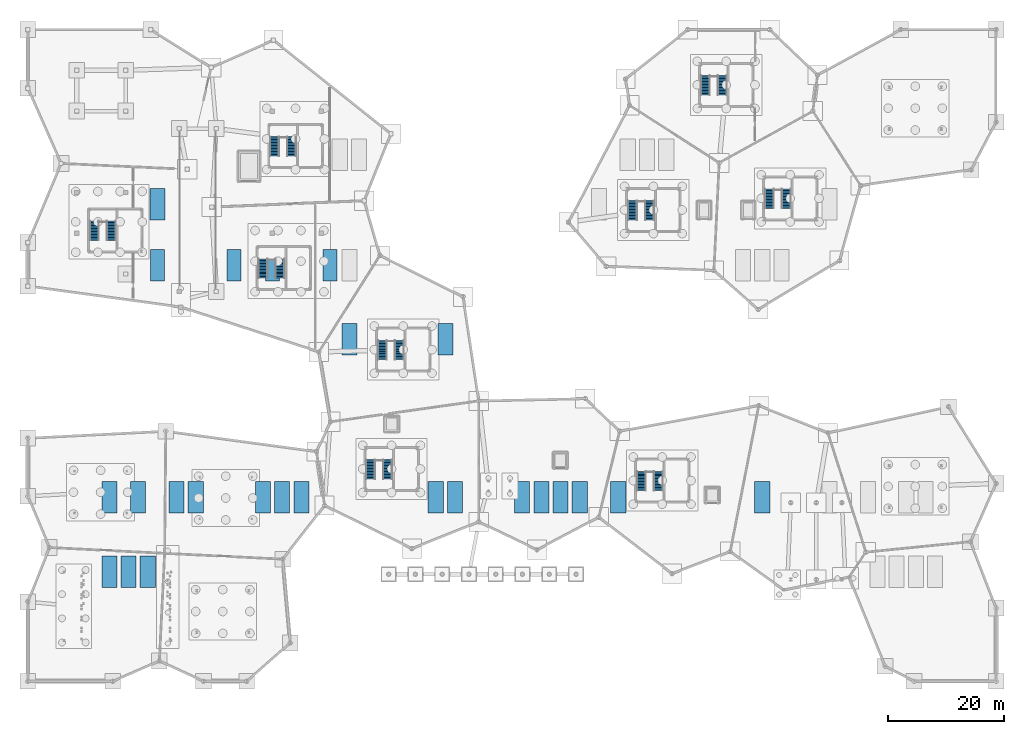
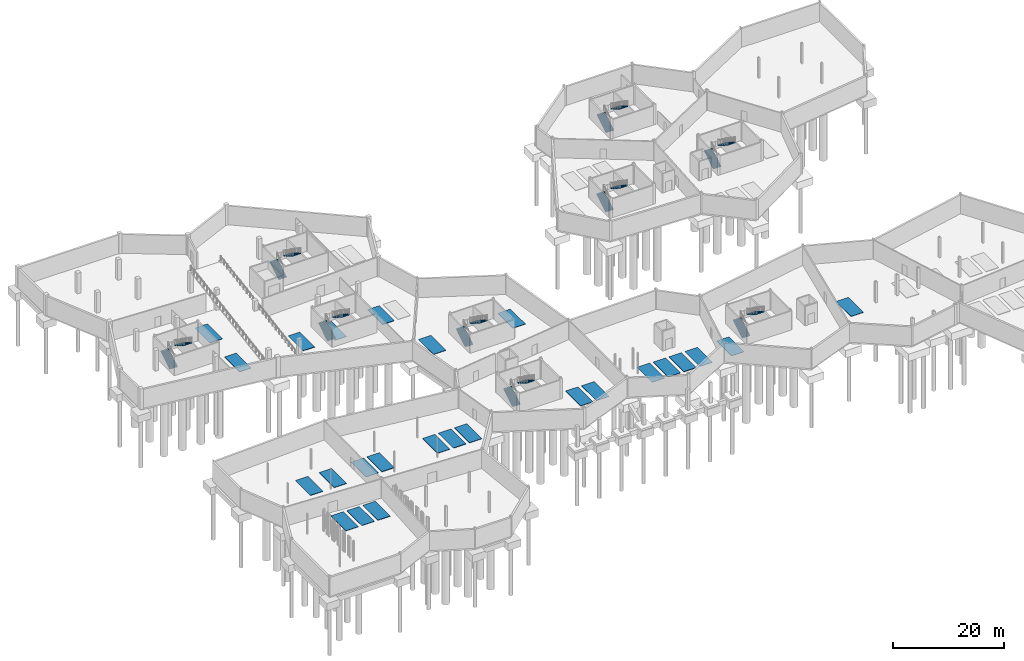
# One storey, part 33 of 37: 25 discrete accessories, 18 stair flights, 9 elements without a shape of their own.
"""IFC4 building model written with IfcOpenShell, lengths in metres."""

from ifc_helpers import new_model, si_unit, direction, frame, origin, origin_2d, place, context, subcontext, project, spatial, polyline, rectangle, outline, extrude, material, type_object, element, aggregate, save


model = new_model("IFC4")

# Units and contexts
model_context = context("Model", 3, precision=1e-05, world=origin(), true_north=direction((0.0, 1.0)))
body_context = subcontext(model_context, "Body", "Model", "MODEL_VIEW")
ifc_project = project(units=[si_unit("LENGTHUNIT", "METRE"), si_unit("AREAUNIT", "SQUARE_METRE"), si_unit("VOLUMEUNIT", "CUBIC_METRE"), si_unit("PLANEANGLEUNIT", "RADIAN"), si_unit("MASSUNIT", "GRAM", prefix="KILO")], contexts=[model_context])

# Site, building, storey
site_placement = place(None, origin())
site = spatial("IfcSite", under=ifc_project, at=site_placement, CompositionType="ELEMENT")
building_placement = place(site_placement, origin())
building = spatial("IfcBuilding", under=site, at=building_placement, Name="Tameran Prism Museum", CompositionType="ELEMENT")
storey_placement = place(building_placement, frame((0.0, 0.0, -4.5)))
storey = spatial("IfcBuildingStorey", under=building, at=storey_placement, Name="B1", CompositionType="ELEMENT", Elevation=-4.5)

# Stair, stair flights
ifc_material_1 = material(Name="Concrete N40 (40 MPa)", Category="concrete")
stair_type = type_object("IfcStairType", Name="ST-CORE-45", PredefinedType="HALF_TURN_STAIR", material=ifc_material_1)
stair_1_placement = place(storey_placement, origin())
stair_1 = element("IfcStair", 1, at=stair_1_placement, inside=storey, type_object=stair_type, Name="Fire-Isolated Stair ST-01-B1", PredefinedType="HALF_TURN_STAIR")
ifc_material_2 = material(Name="Concrete N40 (40 MPa)", Category="concrete")
stair_flight_type = type_object("IfcStairFlightType", Name="SF-RC-165", PredefinedType="STRAIGHT", material=ifc_material_2)
stair_flight_1_placement = place(storey_placement, frame((103.9150390625, 79.280029296875, 0.0), z_axis=(0.0, 0.0, 1.0), x_axis=(0.0, 1.0, 0.0)))
stair_flight_1 = element("IfcStairFlight", 2, at=stair_flight_1_placement, type_object=stair_flight_type, Name="ST-01-B1 flight 1", NumberOfRisers=14, NumberOfTreads=13, PredefinedType="STRAIGHT", RiserHeight=0.160714, TreadLength=0.255, context=body_context, shape_type="SweptSolid", body=[
    extrude(outline(polyline([(0.0, 0.0), (0.0, 0.16064453125), (0.2548828125, 0.16064453125), (0.2548828125, 0.321533203125), (0.510009765625, 0.321533203125), (0.510009765625, 0.482177734375), (0.764892578125, 0.482177734375), (0.764892578125, 0.642822265625), (1.02001953125, 0.642822265625), (1.02001953125, 0.803466796875), (1.27490234375, 0.803466796875), (1.27490234375, 0.96435546875), (1.530029296875, 0.96435546875), (1.530029296875, 1.125), (1.784912109375, 1.125), (1.784912109375, 1.28564453125), (2.0400390625, 1.28564453125), (2.0400390625, 1.446533203125), (2.294921875, 1.446533203125), (2.294921875, 1.607177734375), (2.550048828125, 1.607177734375), (2.550048828125, 1.767822265625), (2.804931640625, 1.767822265625), (2.804931640625, 1.928466796875), (3.06005859375, 1.928466796875), (3.06005859375, 2.08935546875), (3.31494140625, 2.08935546875), (3.31494140625, 2.25), (3.31494140625, 1.912109375), (0.28125, 0.0), (0.0, 0.0)])), frame((0.0, 0.824951171875, 0.0), z_axis=(0.0, -1.0, 0.0), x_axis=(1.0, 0.0, 0.0)), (0.0, 0.0, 1.0), 1.64990234375),
])
stair_flight_2_placement = place(storey_placement, frame((106.8349609375, 82.594970703125, 2.25), z_axis=(0.0, 0.0, 1.0), x_axis=(0.0, -1.0, 0.0)))
stair_flight_2 = element("IfcStairFlight", 3, at=stair_flight_2_placement, type_object=stair_flight_type, Name="ST-01-B1 flight 2", NumberOfRisers=14, NumberOfTreads=13, PredefinedType="STRAIGHT", RiserHeight=0.160714, TreadLength=0.255, context=body_context, shape_type="SweptSolid", body=[
    extrude(outline(polyline([(0.0, 0.0), (0.0, 0.16064453125), (0.2548828125, 0.16064453125), (0.2548828125, 0.321533203125), (0.510009765625, 0.321533203125), (0.510009765625, 0.482177734375), (0.764892578125, 0.482177734375), (0.764892578125, 0.642822265625), (1.02001953125, 0.642822265625), (1.02001953125, 0.803466796875), (1.27490234375, 0.803466796875), (1.27490234375, 0.96435546875), (1.530029296875, 0.96435546875), (1.530029296875, 1.125), (1.784912109375, 1.125), (1.784912109375, 1.28564453125), (2.0400390625, 1.28564453125), (2.0400390625, 1.446533203125), (2.294921875, 1.446533203125), (2.294921875, 1.607177734375), (2.550048828125, 1.607177734375), (2.550048828125, 1.767822265625), (2.804931640625, 1.767822265625), (2.804931640625, 1.928466796875), (3.06005859375, 1.928466796875), (3.06005859375, 2.08935546875), (3.31494140625, 2.08935546875), (3.31494140625, 2.25), (3.31494140625, 1.912109375), (0.28125, 0.0), (0.0, 0.0)])), frame((0.0, 0.824951171875, 0.0), z_axis=(0.0, -1.0, 0.0), x_axis=(1.0, 0.0, 0.0)), (0.0, 0.0, 1.0), 1.64990234375),
])
aggregate(stair_1, [stair_flight_1, stair_flight_2])

stair_2_placement = place(storey_placement, origin())
stair_2 = element("IfcStair", 4, at=stair_2_placement, inside=storey, type_object=stair_type, Name="Fire-Isolated Stair ST-02-B1", PredefinedType="HALF_TURN_STAIR")
stair_flight_3_placement = place(storey_placement, frame((127.4150390625, 81.280029296875, 0.0), z_axis=(0.0, 0.0, 1.0), x_axis=(0.0, 1.0, 0.0)))
stair_flight_3 = element("IfcStairFlight", 5, at=stair_flight_3_placement, type_object=stair_flight_type, Name="ST-02-B1 flight 1", NumberOfRisers=14, NumberOfTreads=13, PredefinedType="STRAIGHT", RiserHeight=0.160714, TreadLength=0.255, context=body_context, shape_type="SweptSolid", body=[
    extrude(outline(polyline([(0.0, 0.0), (0.0, 0.16064453125), (0.2548828125, 0.16064453125), (0.2548828125, 0.321533203125), (0.510009765625, 0.321533203125), (0.510009765625, 0.482177734375), (0.764892578125, 0.482177734375), (0.764892578125, 0.642822265625), (1.02001953125, 0.642822265625), (1.02001953125, 0.803466796875), (1.27490234375, 0.803466796875), (1.27490234375, 0.96435546875), (1.530029296875, 0.96435546875), (1.530029296875, 1.125), (1.784912109375, 1.125), (1.784912109375, 1.28564453125), (2.0400390625, 1.28564453125), (2.0400390625, 1.446533203125), (2.294921875, 1.446533203125), (2.294921875, 1.607177734375), (2.550048828125, 1.607177734375), (2.550048828125, 1.767822265625), (2.804931640625, 1.767822265625), (2.804931640625, 1.928466796875), (3.06005859375, 1.928466796875), (3.06005859375, 2.08935546875), (3.31494140625, 2.08935546875), (3.31494140625, 2.25), (3.31494140625, 1.912109375), (0.28125, 0.0), (0.0, 0.0)])), frame((0.0, 0.824951171875, 0.0), z_axis=(0.0, -1.0, 0.0), x_axis=(1.0, 0.0, 0.0)), (0.0, 0.0, 1.0), 1.64990234375),
])
stair_flight_4_placement = place(storey_placement, frame((130.3349609375, 84.594970703125, 2.25), z_axis=(0.0, 0.0, 1.0), x_axis=(0.0, -1.0, 0.0)))
stair_flight_4 = element("IfcStairFlight", 6, at=stair_flight_4_placement, type_object=stair_flight_type, Name="ST-02-B1 flight 2", NumberOfRisers=14, NumberOfTreads=13, PredefinedType="STRAIGHT", RiserHeight=0.160714, TreadLength=0.255, context=body_context, shape_type="SweptSolid", body=[
    extrude(outline(polyline([(0.0, 0.0), (0.0, 0.16064453125), (0.2548828125, 0.16064453125), (0.2548828125, 0.321533203125), (0.510009765625, 0.321533203125), (0.510009765625, 0.482177734375), (0.764892578125, 0.482177734375), (0.764892578125, 0.642822265625), (1.02001953125, 0.642822265625), (1.02001953125, 0.803466796875), (1.27490234375, 0.803466796875), (1.27490234375, 0.96435546875), (1.530029296875, 0.96435546875), (1.530029296875, 1.125), (1.784912109375, 1.125), (1.784912109375, 1.28564453125), (2.0400390625, 1.28564453125), (2.0400390625, 1.446533203125), (2.294921875, 1.446533203125), (2.294921875, 1.607177734375), (2.550048828125, 1.607177734375), (2.550048828125, 1.767822265625), (2.804931640625, 1.767822265625), (2.804931640625, 1.928466796875), (3.06005859375, 1.928466796875), (3.06005859375, 2.08935546875), (3.31494140625, 2.08935546875), (3.31494140625, 2.25), (3.31494140625, 1.912109375), (0.28125, 0.0), (0.0, 0.0)])), frame((0.0, 0.824951171875, 0.0), z_axis=(0.0, -1.0, 0.0), x_axis=(1.0, 0.0, 0.0)), (0.0, 0.0, 1.0), 1.64990234375),
])
aggregate(stair_2, [stair_flight_3, stair_flight_4])

stair_3_placement = place(storey_placement, origin())
stair_3 = element("IfcStair", 7, at=stair_3_placement, inside=storey, type_object=stair_type, Name="Fire-Isolated Stair ST-07-B1", PredefinedType="HALF_TURN_STAIR")
stair_flight_5_placement = place(storey_placement, frame((116.4150390625, 100.780029296875, 0.0), z_axis=(0.0, 0.0, 1.0), x_axis=(0.0, 1.0, 0.0)))
stair_flight_5 = element("IfcStairFlight", 8, at=stair_flight_5_placement, type_object=stair_flight_type, Name="ST-07-B1 flight 1", NumberOfRisers=14, NumberOfTreads=13, PredefinedType="STRAIGHT", RiserHeight=0.160714, TreadLength=0.255, context=body_context, shape_type="SweptSolid", body=[
    extrude(outline(polyline([(0.0, 0.0), (0.0, 0.16064453125), (0.2548828125, 0.16064453125), (0.2548828125, 0.321533203125), (0.510009765625, 0.321533203125), (0.510009765625, 0.482177734375), (0.764892578125, 0.482177734375), (0.764892578125, 0.642822265625), (1.02001953125, 0.642822265625), (1.02001953125, 0.803466796875), (1.27490234375, 0.803466796875), (1.27490234375, 0.96435546875), (1.530029296875, 0.96435546875), (1.530029296875, 1.125), (1.784912109375, 1.125), (1.784912109375, 1.28564453125), (2.0400390625, 1.28564453125), (2.0400390625, 1.446533203125), (2.294921875, 1.446533203125), (2.294921875, 1.607177734375), (2.550048828125, 1.607177734375), (2.550048828125, 1.767822265625), (2.804931640625, 1.767822265625), (2.804931640625, 1.928466796875), (3.06005859375, 1.928466796875), (3.06005859375, 2.08935546875), (3.31494140625, 2.08935546875), (3.31494140625, 2.25), (3.31494140625, 1.912109375), (0.28125, 0.0), (0.0, 0.0)])), frame((0.0, 0.824951171875, 0.0), z_axis=(0.0, -1.0, 0.0), x_axis=(1.0, 0.0, 0.0)), (0.0, 0.0, 1.0), 1.64990234375),
])
stair_flight_6_placement = place(storey_placement, frame((119.3349609375, 104.094970703125, 2.25), z_axis=(0.0, 0.0, 1.0), x_axis=(0.0, -1.0, 0.0)))
stair_flight_6 = element("IfcStairFlight", 9, at=stair_flight_6_placement, type_object=stair_flight_type, Name="ST-07-B1 flight 2", NumberOfRisers=14, NumberOfTreads=13, PredefinedType="STRAIGHT", RiserHeight=0.160714, TreadLength=0.255, context=body_context, shape_type="SweptSolid", body=[
    extrude(outline(polyline([(0.0, 0.0), (0.0, 0.16064453125), (0.2548828125, 0.16064453125), (0.2548828125, 0.321533203125), (0.510009765625, 0.321533203125), (0.510009765625, 0.482177734375), (0.764892578125, 0.482177734375), (0.764892578125, 0.642822265625), (1.02001953125, 0.642822265625), (1.02001953125, 0.803466796875), (1.27490234375, 0.803466796875), (1.27490234375, 0.96435546875), (1.530029296875, 0.96435546875), (1.530029296875, 1.125), (1.784912109375, 1.125), (1.784912109375, 1.28564453125), (2.0400390625, 1.28564453125), (2.0400390625, 1.446533203125), (2.294921875, 1.446533203125), (2.294921875, 1.607177734375), (2.550048828125, 1.607177734375), (2.550048828125, 1.767822265625), (2.804931640625, 1.767822265625), (2.804931640625, 1.928466796875), (3.06005859375, 1.928466796875), (3.06005859375, 2.08935546875), (3.31494140625, 2.08935546875), (3.31494140625, 2.25), (3.31494140625, 1.912109375), (0.28125, 0.0), (0.0, 0.0)])), frame((0.0, 0.824951171875, 0.0), z_axis=(0.0, -1.0, 0.0), x_axis=(1.0, 0.0, 0.0)), (0.0, 0.0, 1.0), 1.64990234375),
])
aggregate(stair_3, [stair_flight_5, stair_flight_6])

stair_4_placement = place(storey_placement, origin())
stair_4 = element("IfcStair", 10, at=stair_4_placement, inside=storey, type_object=stair_type, Name="Fire-Isolated Stair ST-03-B1", PredefinedType="HALF_TURN_STAIR")
stair_flight_7_placement = place(storey_placement, frame((58.9150390625, 34.780029296875, 0.0), z_axis=(0.0, 0.0, 1.0), x_axis=(0.0, 1.0, 0.0)))
stair_flight_7 = element("IfcStairFlight", 11, at=stair_flight_7_placement, type_object=stair_flight_type, Name="ST-03-B1 flight 1", NumberOfRisers=14, NumberOfTreads=13, PredefinedType="STRAIGHT", RiserHeight=0.160714, TreadLength=0.255, context=body_context, shape_type="SweptSolid", body=[
    extrude(outline(polyline([(0.0, 0.0), (0.0, 0.16064453125), (0.2548828125, 0.16064453125), (0.2548828125, 0.321533203125), (0.510009765625, 0.321533203125), (0.510009765625, 0.482177734375), (0.764892578125, 0.482177734375), (0.764892578125, 0.642822265625), (1.02001953125, 0.642822265625), (1.02001953125, 0.803466796875), (1.27490234375, 0.803466796875), (1.27490234375, 0.96435546875), (1.530029296875, 0.96435546875), (1.530029296875, 1.125), (1.784912109375, 1.125), (1.784912109375, 1.28564453125), (2.0400390625, 1.28564453125), (2.0400390625, 1.446533203125), (2.294921875, 1.446533203125), (2.294921875, 1.607177734375), (2.550048828125, 1.607177734375), (2.550048828125, 1.767822265625), (2.804931640625, 1.767822265625), (2.804931640625, 1.928466796875), (3.06005859375, 1.928466796875), (3.06005859375, 2.08935546875), (3.31494140625, 2.08935546875), (3.31494140625, 2.25), (3.31494140625, 1.912109375), (0.28125, 0.0), (0.0, 0.0)])), frame((0.0, 0.824951171875, 0.0), z_axis=(0.0, -1.0, 0.0), x_axis=(1.0, 0.0, 0.0)), (0.0, 0.0, 1.0), 1.64990234375),
])
stair_flight_8_placement = place(storey_placement, frame((61.8349609375, 38.094970703125, 2.25), z_axis=(0.0, 0.0, 1.0), x_axis=(0.0, -1.0, 0.0)))
stair_flight_8 = element("IfcStairFlight", 12, at=stair_flight_8_placement, type_object=stair_flight_type, Name="ST-03-B1 flight 2", NumberOfRisers=14, NumberOfTreads=13, PredefinedType="STRAIGHT", RiserHeight=0.160714, TreadLength=0.255, context=body_context, shape_type="SweptSolid", body=[
    extrude(outline(polyline([(0.0, 0.0), (0.0, 0.16064453125), (0.2548828125, 0.16064453125), (0.2548828125, 0.321533203125), (0.510009765625, 0.321533203125), (0.510009765625, 0.482177734375), (0.764892578125, 0.482177734375), (0.764892578125, 0.642822265625), (1.02001953125, 0.642822265625), (1.02001953125, 0.803466796875), (1.27490234375, 0.803466796875), (1.27490234375, 0.96435546875), (1.530029296875, 0.96435546875), (1.530029296875, 1.125), (1.784912109375, 1.125), (1.784912109375, 1.28564453125), (2.0400390625, 1.28564453125), (2.0400390625, 1.446533203125), (2.294921875, 1.446533203125), (2.294921875, 1.607177734375), (2.550048828125, 1.607177734375), (2.550048828125, 1.767822265625), (2.804931640625, 1.767822265625), (2.804931640625, 1.928466796875), (3.06005859375, 1.928466796875), (3.06005859375, 2.08935546875), (3.31494140625, 2.08935546875), (3.31494140625, 2.25), (3.31494140625, 1.912109375), (0.28125, 0.0), (0.0, 0.0)])), frame((0.0, 0.824951171875, 0.0), z_axis=(0.0, -1.0, 0.0), x_axis=(1.0, 0.0, 0.0)), (0.0, 0.0, 1.0), 1.64990234375),
])
aggregate(stair_4, [stair_flight_7, stair_flight_8])

stair_5_placement = place(storey_placement, origin())
stair_5 = element("IfcStair", 13, at=stair_5_placement, inside=storey, type_object=stair_type, Name="Fire-Isolated Stair ST-08-B1", PredefinedType="HALF_TURN_STAIR")
stair_flight_9_placement = place(storey_placement, frame((60.9150390625, 55.280029296875, 0.0), z_axis=(0.0, 0.0, 1.0), x_axis=(0.0, 1.0, 0.0)))
stair_flight_9 = element("IfcStairFlight", 14, at=stair_flight_9_placement, type_object=stair_flight_type, Name="ST-08-B1 flight 1", NumberOfRisers=14, NumberOfTreads=13, PredefinedType="STRAIGHT", RiserHeight=0.160714, TreadLength=0.255, context=body_context, shape_type="SweptSolid", body=[
    extrude(outline(polyline([(0.0, 0.0), (0.0, 0.16064453125), (0.2548828125, 0.16064453125), (0.2548828125, 0.321533203125), (0.510009765625, 0.321533203125), (0.510009765625, 0.482177734375), (0.764892578125, 0.482177734375), (0.764892578125, 0.642822265625), (1.02001953125, 0.642822265625), (1.02001953125, 0.803466796875), (1.27490234375, 0.803466796875), (1.27490234375, 0.96435546875), (1.530029296875, 0.96435546875), (1.530029296875, 1.125), (1.784912109375, 1.125), (1.784912109375, 1.28564453125), (2.0400390625, 1.28564453125), (2.0400390625, 1.446533203125), (2.294921875, 1.446533203125), (2.294921875, 1.607177734375), (2.550048828125, 1.607177734375), (2.550048828125, 1.767822265625), (2.804931640625, 1.767822265625), (2.804931640625, 1.928466796875), (3.06005859375, 1.928466796875), (3.06005859375, 2.08935546875), (3.31494140625, 2.08935546875), (3.31494140625, 2.25), (3.31494140625, 1.912109375), (0.28125, 0.0), (0.0, 0.0)])), frame((0.0, 0.824951171875, 0.0), z_axis=(0.0, -1.0, 0.0), x_axis=(1.0, 0.0, 0.0)), (0.0, 0.0, 1.0), 1.64990234375),
])
stair_flight_10_placement = place(storey_placement, frame((63.8349609375, 58.594970703125, 2.25), z_axis=(0.0, 0.0, 1.0), x_axis=(0.0, -1.0, 0.0)))
stair_flight_10 = element("IfcStairFlight", 15, at=stair_flight_10_placement, type_object=stair_flight_type, Name="ST-08-B1 flight 2", NumberOfRisers=14, NumberOfTreads=13, PredefinedType="STRAIGHT", RiserHeight=0.160714, TreadLength=0.255, context=body_context, shape_type="SweptSolid", body=[
    extrude(outline(polyline([(0.0, 0.0), (0.0, 0.16064453125), (0.2548828125, 0.16064453125), (0.2548828125, 0.321533203125), (0.510009765625, 0.321533203125), (0.510009765625, 0.482177734375), (0.764892578125, 0.482177734375), (0.764892578125, 0.642822265625), (1.02001953125, 0.642822265625), (1.02001953125, 0.803466796875), (1.27490234375, 0.803466796875), (1.27490234375, 0.96435546875), (1.530029296875, 0.96435546875), (1.530029296875, 1.125), (1.784912109375, 1.125), (1.784912109375, 1.28564453125), (2.0400390625, 1.28564453125), (2.0400390625, 1.446533203125), (2.294921875, 1.446533203125), (2.294921875, 1.607177734375), (2.550048828125, 1.607177734375), (2.550048828125, 1.767822265625), (2.804931640625, 1.767822265625), (2.804931640625, 1.928466796875), (3.06005859375, 1.928466796875), (3.06005859375, 2.08935546875), (3.31494140625, 2.08935546875), (3.31494140625, 2.25), (3.31494140625, 1.912109375), (0.28125, 0.0), (0.0, 0.0)])), frame((0.0, 0.824951171875, 0.0), z_axis=(0.0, -1.0, 0.0), x_axis=(1.0, 0.0, 0.0)), (0.0, 0.0, 1.0), 1.64990234375),
])
aggregate(stair_5, [stair_flight_9, stair_flight_10])

stair_6_placement = place(storey_placement, origin())
stair_6 = element("IfcStair", 16, at=stair_6_placement, inside=storey, type_object=stair_type, Name="Fire-Isolated Stair ST-04-B1", PredefinedType="HALF_TURN_STAIR")
stair_flight_11_placement = place(storey_placement, frame((105.4150390625, 32.780029296875, 0.0), z_axis=(0.0, 0.0, 1.0), x_axis=(0.0, 1.0, 0.0)))
stair_flight_11 = element("IfcStairFlight", 17, at=stair_flight_11_placement, type_object=stair_flight_type, Name="ST-04-B1 flight 1", NumberOfRisers=14, NumberOfTreads=13, PredefinedType="STRAIGHT", RiserHeight=0.160714, TreadLength=0.255, context=body_context, shape_type="SweptSolid", body=[
    extrude(outline(polyline([(0.0, 0.0), (0.0, 0.16064453125), (0.2548828125, 0.16064453125), (0.2548828125, 0.321533203125), (0.510009765625, 0.321533203125), (0.510009765625, 0.482177734375), (0.764892578125, 0.482177734375), (0.764892578125, 0.642822265625), (1.02001953125, 0.642822265625), (1.02001953125, 0.803466796875), (1.27490234375, 0.803466796875), (1.27490234375, 0.96435546875), (1.530029296875, 0.96435546875), (1.530029296875, 1.125), (1.784912109375, 1.125), (1.784912109375, 1.28564453125), (2.0400390625, 1.28564453125), (2.0400390625, 1.446533203125), (2.294921875, 1.446533203125), (2.294921875, 1.607177734375), (2.550048828125, 1.607177734375), (2.550048828125, 1.767822265625), (2.804931640625, 1.767822265625), (2.804931640625, 1.928466796875), (3.06005859375, 1.928466796875), (3.06005859375, 2.08935546875), (3.31494140625, 2.08935546875), (3.31494140625, 2.25), (3.31494140625, 1.912109375), (0.28125, 0.0), (0.0, 0.0)])), frame((0.0, 0.824951171875, 0.0), z_axis=(0.0, -1.0, 0.0), x_axis=(1.0, 0.0, 0.0)), (0.0, 0.0, 1.0), 1.64990234375),
])
stair_flight_12_placement = place(storey_placement, frame((108.3349609375, 36.094970703125, 2.25), z_axis=(0.0, 0.0, 1.0), x_axis=(0.0, -1.0, 0.0)))
stair_flight_12 = element("IfcStairFlight", 18, at=stair_flight_12_placement, type_object=stair_flight_type, Name="ST-04-B1 flight 2", NumberOfRisers=14, NumberOfTreads=13, PredefinedType="STRAIGHT", RiserHeight=0.160714, TreadLength=0.255, context=body_context, shape_type="SweptSolid", body=[
    extrude(outline(polyline([(0.0, 0.0), (0.0, 0.16064453125), (0.2548828125, 0.16064453125), (0.2548828125, 0.321533203125), (0.510009765625, 0.321533203125), (0.510009765625, 0.482177734375), (0.764892578125, 0.482177734375), (0.764892578125, 0.642822265625), (1.02001953125, 0.642822265625), (1.02001953125, 0.803466796875), (1.27490234375, 0.803466796875), (1.27490234375, 0.96435546875), (1.530029296875, 0.96435546875), (1.530029296875, 1.125), (1.784912109375, 1.125), (1.784912109375, 1.28564453125), (2.0400390625, 1.28564453125), (2.0400390625, 1.446533203125), (2.294921875, 1.446533203125), (2.294921875, 1.607177734375), (2.550048828125, 1.607177734375), (2.550048828125, 1.767822265625), (2.804931640625, 1.767822265625), (2.804931640625, 1.928466796875), (3.06005859375, 1.928466796875), (3.06005859375, 2.08935546875), (3.31494140625, 2.08935546875), (3.31494140625, 2.25), (3.31494140625, 1.912109375), (0.28125, 0.0), (0.0, 0.0)])), frame((0.0, 0.824951171875, 0.0), z_axis=(0.0, -1.0, 0.0), x_axis=(1.0, 0.0, 0.0)), (0.0, 0.0, 1.0), 1.64990234375),
])
aggregate(stair_6, [stair_flight_11, stair_flight_12])

stair_7_placement = place(storey_placement, origin())
stair_7 = element("IfcStair", 19, at=stair_7_placement, inside=storey, type_object=stair_type, Name="Fire-Isolated Stair ST-05-B1", PredefinedType="HALF_TURN_STAIR")
stair_flight_13_placement = place(storey_placement, frame((40.4150390625, 69.280029296875, 0.0), z_axis=(0.0, 0.0, 1.0), x_axis=(0.0, 1.0, 0.0)))
stair_flight_13 = element("IfcStairFlight", 20, at=stair_flight_13_placement, type_object=stair_flight_type, Name="ST-05-B1 flight 1", NumberOfRisers=14, NumberOfTreads=13, PredefinedType="STRAIGHT", RiserHeight=0.160714, TreadLength=0.255, context=body_context, shape_type="SweptSolid", body=[
    extrude(outline(polyline([(0.0, 0.0), (0.0, 0.16064453125), (0.2548828125, 0.16064453125), (0.2548828125, 0.321533203125), (0.510009765625, 0.321533203125), (0.510009765625, 0.482177734375), (0.764892578125, 0.482177734375), (0.764892578125, 0.642822265625), (1.02001953125, 0.642822265625), (1.02001953125, 0.803466796875), (1.27490234375, 0.803466796875), (1.27490234375, 0.96435546875), (1.530029296875, 0.96435546875), (1.530029296875, 1.125), (1.784912109375, 1.125), (1.784912109375, 1.28564453125), (2.0400390625, 1.28564453125), (2.0400390625, 1.446533203125), (2.294921875, 1.446533203125), (2.294921875, 1.607177734375), (2.550048828125, 1.607177734375), (2.550048828125, 1.767822265625), (2.804931640625, 1.767822265625), (2.804931640625, 1.928466796875), (3.06005859375, 1.928466796875), (3.06005859375, 2.08935546875), (3.31494140625, 2.08935546875), (3.31494140625, 2.25), (3.31494140625, 1.912109375), (0.28125, 0.0), (0.0, 0.0)])), frame((0.0, 0.824951171875, 0.0), z_axis=(0.0, -1.0, 0.0), x_axis=(1.0, 0.0, 0.0)), (0.0, 0.0, 1.0), 1.64990234375),
])
stair_flight_14_placement = place(storey_placement, frame((43.3349609375, 72.594970703125, 2.25), z_axis=(0.0, 0.0, 1.0), x_axis=(0.0, -1.0, 0.0)))
stair_flight_14 = element("IfcStairFlight", 21, at=stair_flight_14_placement, type_object=stair_flight_type, Name="ST-05-B1 flight 2", NumberOfRisers=14, NumberOfTreads=13, PredefinedType="STRAIGHT", RiserHeight=0.160714, TreadLength=0.255, context=body_context, shape_type="SweptSolid", body=[
    extrude(outline(polyline([(0.0, 0.0), (0.0, 0.16064453125), (0.2548828125, 0.16064453125), (0.2548828125, 0.321533203125), (0.510009765625, 0.321533203125), (0.510009765625, 0.482177734375), (0.764892578125, 0.482177734375), (0.764892578125, 0.642822265625), (1.02001953125, 0.642822265625), (1.02001953125, 0.803466796875), (1.27490234375, 0.803466796875), (1.27490234375, 0.96435546875), (1.530029296875, 0.96435546875), (1.530029296875, 1.125), (1.784912109375, 1.125), (1.784912109375, 1.28564453125), (2.0400390625, 1.28564453125), (2.0400390625, 1.446533203125), (2.294921875, 1.446533203125), (2.294921875, 1.607177734375), (2.550048828125, 1.607177734375), (2.550048828125, 1.767822265625), (2.804931640625, 1.767822265625), (2.804931640625, 1.928466796875), (3.06005859375, 1.928466796875), (3.06005859375, 2.08935546875), (3.31494140625, 2.08935546875), (3.31494140625, 2.25), (3.31494140625, 1.912109375), (0.28125, 0.0), (0.0, 0.0)])), frame((0.0, 0.824951171875, 0.0), z_axis=(0.0, -1.0, 0.0), x_axis=(1.0, 0.0, 0.0)), (0.0, 0.0, 1.0), 1.64990234375),
])
aggregate(stair_7, [stair_flight_13, stair_flight_14])

stair_8_placement = place(storey_placement, origin())
stair_8 = element("IfcStair", 22, at=stair_8_placement, inside=storey, type_object=stair_type, Name="Fire-Isolated Stair ST-09-B1", PredefinedType="HALF_TURN_STAIR")
stair_flight_15_placement = place(storey_placement, frame((11.4150390625, 75.780029296875, 0.0), z_axis=(0.0, 0.0, 1.0), x_axis=(0.0, 1.0, 0.0)))
stair_flight_15 = element("IfcStairFlight", 23, at=stair_flight_15_placement, type_object=stair_flight_type, Name="ST-09-B1 flight 1", NumberOfRisers=14, NumberOfTreads=13, PredefinedType="STRAIGHT", RiserHeight=0.160714, TreadLength=0.255, context=body_context, shape_type="SweptSolid", body=[
    extrude(outline(polyline([(0.0, 0.0), (0.0, 0.16064453125), (0.2548828125, 0.16064453125), (0.2548828125, 0.321533203125), (0.510009765625, 0.321533203125), (0.510009765625, 0.482177734375), (0.764892578125, 0.482177734375), (0.764892578125, 0.642822265625), (1.02001953125, 0.642822265625), (1.02001953125, 0.803466796875), (1.27490234375, 0.803466796875), (1.27490234375, 0.96435546875), (1.530029296875, 0.96435546875), (1.530029296875, 1.125), (1.784912109375, 1.125), (1.784912109375, 1.28564453125), (2.0400390625, 1.28564453125), (2.0400390625, 1.446533203125), (2.294921875, 1.446533203125), (2.294921875, 1.607177734375), (2.550048828125, 1.607177734375), (2.550048828125, 1.767822265625), (2.804931640625, 1.767822265625), (2.804931640625, 1.928466796875), (3.06005859375, 1.928466796875), (3.06005859375, 2.08935546875), (3.31494140625, 2.08935546875), (3.31494140625, 2.25), (3.31494140625, 1.912109375), (0.28125, 0.0), (0.0, 0.0)])), frame((0.0, 0.824951171875, 0.0), z_axis=(0.0, -1.0, 0.0), x_axis=(1.0, 0.0, 0.0)), (0.0, 0.0, 1.0), 1.64990234375),
])
stair_flight_16_placement = place(storey_placement, frame((14.3349609375, 79.094970703125, 2.25), z_axis=(0.0, 0.0, 1.0), x_axis=(0.0, -1.0, 0.0)))
stair_flight_16 = element("IfcStairFlight", 24, at=stair_flight_16_placement, type_object=stair_flight_type, Name="ST-09-B1 flight 2", NumberOfRisers=14, NumberOfTreads=13, PredefinedType="STRAIGHT", RiserHeight=0.160714, TreadLength=0.255, context=body_context, shape_type="SweptSolid", body=[
    extrude(outline(polyline([(0.0, 0.0), (0.0, 0.16064453125), (0.2548828125, 0.16064453125), (0.2548828125, 0.321533203125), (0.510009765625, 0.321533203125), (0.510009765625, 0.482177734375), (0.764892578125, 0.482177734375), (0.764892578125, 0.642822265625), (1.02001953125, 0.642822265625), (1.02001953125, 0.803466796875), (1.27490234375, 0.803466796875), (1.27490234375, 0.96435546875), (1.530029296875, 0.96435546875), (1.530029296875, 1.125), (1.784912109375, 1.125), (1.784912109375, 1.28564453125), (2.0400390625, 1.28564453125), (2.0400390625, 1.446533203125), (2.294921875, 1.446533203125), (2.294921875, 1.607177734375), (2.550048828125, 1.607177734375), (2.550048828125, 1.767822265625), (2.804931640625, 1.767822265625), (2.804931640625, 1.928466796875), (3.06005859375, 1.928466796875), (3.06005859375, 2.08935546875), (3.31494140625, 2.08935546875), (3.31494140625, 2.25), (3.31494140625, 1.912109375), (0.28125, 0.0), (0.0, 0.0)])), frame((0.0, 0.824951171875, 0.0), z_axis=(0.0, -1.0, 0.0), x_axis=(1.0, 0.0, 0.0)), (0.0, 0.0, 1.0), 1.64990234375),
])
aggregate(stair_8, [stair_flight_15, stair_flight_16])

stair_9_placement = place(storey_placement, origin())
stair_9 = element("IfcStair", 25, at=stair_9_placement, inside=storey, type_object=stair_type, Name="Fire-Isolated Stair ST-14-B1", PredefinedType="HALF_TURN_STAIR")
stair_flight_17_placement = place(storey_placement, frame((42.4150390625, 90.280029296875, 0.0), z_axis=(0.0, 0.0, 1.0), x_axis=(0.0, 1.0, 0.0)))
stair_flight_17 = element("IfcStairFlight", 26, at=stair_flight_17_placement, type_object=stair_flight_type, Name="ST-14-B1 flight 1", NumberOfRisers=14, NumberOfTreads=13, PredefinedType="STRAIGHT", RiserHeight=0.160714, TreadLength=0.255, context=body_context, shape_type="SweptSolid", body=[
    extrude(outline(polyline([(0.0, 0.0), (0.0, 0.16064453125), (0.2548828125, 0.16064453125), (0.2548828125, 0.321533203125), (0.510009765625, 0.321533203125), (0.510009765625, 0.482177734375), (0.764892578125, 0.482177734375), (0.764892578125, 0.642822265625), (1.02001953125, 0.642822265625), (1.02001953125, 0.803466796875), (1.27490234375, 0.803466796875), (1.27490234375, 0.96435546875), (1.530029296875, 0.96435546875), (1.530029296875, 1.125), (1.784912109375, 1.125), (1.784912109375, 1.28564453125), (2.0400390625, 1.28564453125), (2.0400390625, 1.446533203125), (2.294921875, 1.446533203125), (2.294921875, 1.607177734375), (2.550048828125, 1.607177734375), (2.550048828125, 1.767822265625), (2.804931640625, 1.767822265625), (2.804931640625, 1.928466796875), (3.06005859375, 1.928466796875), (3.06005859375, 2.08935546875), (3.31494140625, 2.08935546875), (3.31494140625, 2.25), (3.31494140625, 1.912109375), (0.28125, 0.0), (0.0, 0.0)])), frame((0.0, 0.824951171875, 0.0), z_axis=(0.0, -1.0, 0.0), x_axis=(1.0, 0.0, 0.0)), (0.0, 0.0, 1.0), 1.64990234375),
])
stair_flight_18_placement = place(storey_placement, frame((45.3349609375, 93.594970703125, 2.25), z_axis=(0.0, 0.0, 1.0), x_axis=(0.0, -1.0, 0.0)))
stair_flight_18 = element("IfcStairFlight", 27, at=stair_flight_18_placement, type_object=stair_flight_type, Name="ST-14-B1 flight 2", NumberOfRisers=14, NumberOfTreads=13, PredefinedType="STRAIGHT", RiserHeight=0.160714, TreadLength=0.255, context=body_context, shape_type="SweptSolid", body=[
    extrude(outline(polyline([(0.0, 0.0), (0.0, 0.16064453125), (0.2548828125, 0.16064453125), (0.2548828125, 0.321533203125), (0.510009765625, 0.321533203125), (0.510009765625, 0.482177734375), (0.764892578125, 0.482177734375), (0.764892578125, 0.642822265625), (1.02001953125, 0.642822265625), (1.02001953125, 0.803466796875), (1.27490234375, 0.803466796875), (1.27490234375, 0.96435546875), (1.530029296875, 0.96435546875), (1.530029296875, 1.125), (1.784912109375, 1.125), (1.784912109375, 1.28564453125), (2.0400390625, 1.28564453125), (2.0400390625, 1.446533203125), (2.294921875, 1.446533203125), (2.294921875, 1.607177734375), (2.550048828125, 1.607177734375), (2.550048828125, 1.767822265625), (2.804931640625, 1.767822265625), (2.804931640625, 1.928466796875), (3.06005859375, 1.928466796875), (3.06005859375, 2.08935546875), (3.31494140625, 2.08935546875), (3.31494140625, 2.25), (3.31494140625, 1.912109375), (0.28125, 0.0), (0.0, 0.0)])), frame((0.0, 0.824951171875, 0.0), z_axis=(0.0, -1.0, 0.0), x_axis=(1.0, 0.0, 0.0)), (0.0, 0.0, 1.0), 1.64990234375),
])
aggregate(stair_9, [stair_flight_17, stair_flight_18])

# Discrete accessories
ifc_material_3 = material(Name="Accessible Blue Thermoplastic Wheel Stop")
discrete_accessory_type_1 = type_object("IfcDiscreteAccessoryType", Name="DA-BAY-ACC", PredefinedType="USERDEFINED", material=ifc_material_3)
for number, where, z_axis, x_axis, name in (
    (28, (22.25, 71.5, 0.0), (0.0, 0.0, 1.0), (1.0, 0.0, 0.0), "Accessible Parking Bay Marking APB-01"),
    (29, (35.449951171875, 71.5, 0.0), (0.0, 0.0, 1.0), (1.0, 0.0, 0.0), "Accessible Parking Bay Marking APB-02"),
    (30, (42.050048828125, 71.5, 0.0), (0.0, 0.0, 1.0), (1.0, 0.0, 0.0), "Accessible Parking Bay Marking APB-03"),
    (31, (51.949951171875, 71.5, 0.0), (0.0, 0.0, 1.0), (1.0, 0.0, 0.0), "Accessible Parking Bay Marking APB-04"),
):
    element("IfcDiscreteAccessory", number, at=place(storey_placement, frame(where, z_axis=z_axis, x_axis=x_axis)), inside=storey, type_object=discrete_accessory_type_1, Name=name, ObjectType="ACCESSIBLE PARKING BAY MARKING", PredefinedType="USERDEFINED", context=body_context, shape_type="SweptSolid", body=[
        extrude(rectangle(XDim=2.39990234375, YDim=5.39990234375, at=origin_2d()), origin(), (0.0, 0.0, 1.0), 0.080078125),
    ])
ifc_material_4 = material(Name="Thermoplastic Coated Precast Wheel Stop", Category="concrete")
discrete_accessory_type_2 = type_object("IfcDiscreteAccessoryType", Name="DA-BAY-STD", PredefinedType="USERDEFINED", material=ifc_material_4)
for number, where, z_axis, x_axis, name in (
    (32, (55.25, 58.800048828125, 0.0), (0.0, 0.0, 1.0), (1.0, 0.0, 0.0), "Visitor Parking Bay Marking PB-05"),
    (33, (71.75, 58.800048828125, 0.0), (0.0, 0.0, 1.0), (1.0, 0.0, 0.0), "Visitor Parking Bay Marking PB-06"),
    (34, (14.0, 31.60009765625, 0.0), (0.0, 0.0, 1.0), (1.0, 0.0, 0.0), "Visitor Parking Bay Marking PB-07"),
    (35, (18.949951171875, 31.60009765625, 0.0), (0.0, 0.0, 1.0), (1.0, 0.0, 0.0), "Visitor Parking Bay Marking PB-08"),
    (36, (25.550048828125, 31.60009765625, 0.0), (0.0, 0.0, 1.0), (1.0, 0.0, 0.0), "Visitor Parking Bay Marking PB-09"),
    (37, (28.85009765625, 31.60009765625, 0.0), (0.0, 0.0, 1.0), (1.0, 0.0, 0.0), "Visitor Parking Bay Marking PB-10"),
    (38, (40.39990234375, 31.60009765625, 0.0), (0.0, 0.0, 1.0), (1.0, 0.0, 0.0), "Visitor Parking Bay Marking PB-11"),
    (39, (43.699951171875, 31.60009765625, 0.0), (0.0, 0.0, 1.0), (1.0, 0.0, 0.0), "Visitor Parking Bay Marking PB-12"),
    (40, (47.0, 31.60009765625, 0.0), (0.0, 0.0, 1.0), (1.0, 0.0, 0.0), "Visitor Parking Bay Marking PB-13"),
    (41, (70.10009765625, 31.60009765625, 0.0), (0.0, 0.0, 1.0), (1.0, 0.0, 0.0), "Visitor Parking Bay Marking PB-14"),
    (42, (73.39990234375, 31.60009765625, 0.0), (0.0, 0.0, 1.0), (1.0, 0.0, 0.0), "Visitor Parking Bay Marking PB-15"),
    (43, (84.949951171875, 31.60009765625, 0.0), (0.0, 0.0, 1.0), (1.0, 0.0, 0.0), "Visitor Parking Bay Marking PB-16"),
    (44, (88.25, 31.60009765625, 0.0), (0.0, 0.0, 1.0), (1.0, 0.0, 0.0), "Visitor Parking Bay Marking PB-17"),
    (45, (91.550048828125, 31.60009765625, 0.0), (0.0, 0.0, 1.0), (1.0, 0.0, 0.0), "Visitor Parking Bay Marking PB-18"),
    (46, (94.85009765625, 31.60009765625, 0.0), (0.0, 0.0, 1.0), (1.0, 0.0, 0.0), "Visitor Parking Bay Marking PB-19"),
    (47, (101.449951171875, 31.60009765625, 0.0), (0.0, 0.0, 1.0), (1.0, 0.0, 0.0), "Visitor Parking Bay Marking PB-20"),
    (48, (126.199951171875, 31.60009765625, 0.0), (0.0, 0.0, 1.0), (1.0, 0.0, 0.0), "Visitor Parking Bay Marking PB-21"),
    (49, (14.0, 18.800048828125, 0.0), (0.0, 0.0, 1.0), (1.0, 0.0, 0.0), "Visitor Parking Bay Marking PB-26"),
    (50, (17.300048828125, 18.800048828125, 0.0), (0.0, 0.0, 1.0), (1.0, 0.0, 0.0), "Visitor Parking Bay Marking PB-27"),
    (51, (20.60009765625, 18.800048828125, 0.0), (0.0, 0.0, 1.0), (1.0, 0.0, 0.0), "Visitor Parking Bay Marking PB-28"),
    (52, (22.25, 82.0, 0.0), (0.0, 0.0, 1.0), (1.0, 0.0, 0.0), "Visitor Parking Bay Marking PB-33"),
):
    element("IfcDiscreteAccessory", number, at=place(storey_placement, frame(where, z_axis=z_axis, x_axis=x_axis)), inside=storey, type_object=discrete_accessory_type_2, Name=name, ObjectType="PARKING BAY MARKING", PredefinedType="USERDEFINED", context=body_context, shape_type="SweptSolid", body=[
        extrude(rectangle(XDim=2.60009765625, YDim=5.39990234375, at=origin_2d()), origin(), (0.0, 0.0, 1.0), 0.080078125),
    ])

save(model, "model.ifc")
